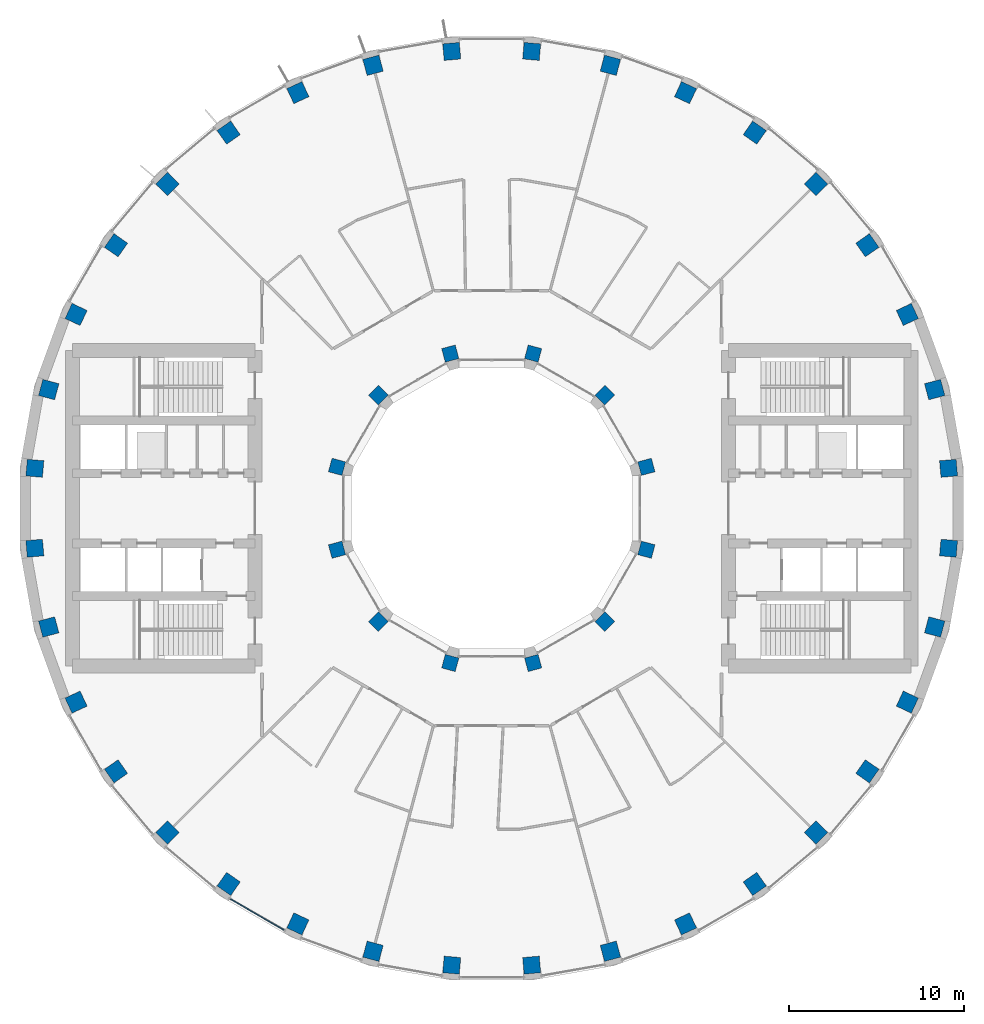
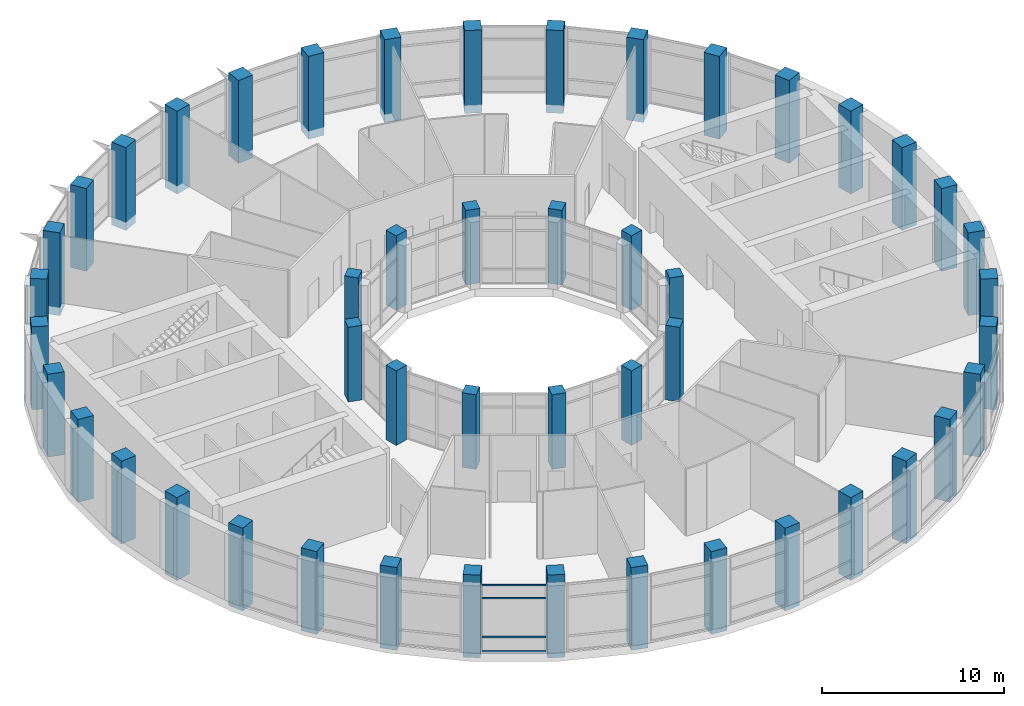
# One storey, part 1 of 18: 48 columns, 4 members, 1 element without a shape of its own.
"""IFC4 building model written with IfcOpenShell, lengths in metres."""

from ifc_helpers import new_model, si_unit, direction, frame, origin, origin_2d, place, context, subcontext, project, spatial, rectangle, extrude, material, layer, layer_set, material_profile, profile_set, type_object, element, aggregate, save


model = new_model("IFC4")

# Units and contexts
model_context = context("Model", 3, precision=1e-05, world=origin(), true_north=direction((0.0, 1.0)))
body_context = subcontext(model_context, "Body", "Model", "MODEL_VIEW")
ifc_project = project(units=[si_unit("LENGTHUNIT", "METRE"), si_unit("AREAUNIT", "SQUARE_METRE"), si_unit("VOLUMEUNIT", "CUBIC_METRE"), si_unit("PLANEANGLEUNIT", "RADIAN"), si_unit("MASSUNIT", "GRAM", prefix="KILO")], contexts=[model_context])

# Site, building, storey
site_placement = place(None, origin())
site = spatial("IfcSite", under=ifc_project, at=site_placement, CompositionType="ELEMENT")
building_placement = place(site_placement, origin())
building = spatial("IfcBuilding", under=site, at=building_placement, Name="Saqina Gate Tower", CompositionType="ELEMENT")
storey_placement = place(building_placement, frame((0.0, 0.0, 86.89990234375)))
storey = spatial("IfcBuildingStorey", under=building, at=storey_placement, Name="L24", CompositionType="ELEMENT", Elevation=86.89990234375)

# Columns
ifc_material_1 = material(Name="Concrete C70/85", Category="concrete")
ifc_material_profile_1 = material_profile(ifc_material_1, rectangle(XDim=0.800048828125, YDim=0.800048828125, at=origin_2d()), Name="RC 800x800")
ifc_profile_set_1 = profile_set([ifc_material_profile_1], Name="Concrete C70/85")
column_type_1 = type_object("IfcColumnType", Name="STR-COL-IN-B", PredefinedType="COLUMN", material=ifc_profile_set_1)
for number, where, z_axis, x_axis, name in (
    (1, (8.821044921875, 2.363525390625, 0.0), (0.0, 0.0, 1.0), (0.965925826289, 0.258819045103, 0.0), "L24-ICL01"),
    (2, (6.45751953125, 6.45751953125, 0.0), (0.0, 0.0, 1.0), (0.707106781187, 0.707106781187, 0.0), "L24-ICL02"),
    (3, (2.363525390625, 8.821044921875, 0.0), (0.0, 0.0, 1.0), (0.258819045103, 0.965925826289, 0.0), "L24-ICL03"),
    (4, (-2.363525390625, 8.821044921875, 0.0), (0.0, 0.0, 1.0), (-0.258819045103, 0.965925826289, 0.0), "L24-ICL04"),
    (5, (-6.45751953125, 6.45751953125, 0.0), (0.0, 0.0, 1.0), (-0.707106781187, 0.707106781187, 0.0), "L24-ICL05"),
    (6, (-8.821044921875, 2.363525390625, 0.0), (0.0, 0.0, 1.0), (-0.965925826289, 0.258819045103, 0.0), "L24-ICL06"),
    (7, (-8.821044921875, -2.363525390625, 0.0), (0.0, 0.0, 1.0), (-0.965925826289, -0.258819045103, 0.0), "L24-ICL07"),
    (8, (-6.45751953125, -6.45751953125, 0.0), (0.0, 0.0, 1.0), (-0.707106781187, -0.707106781187, 0.0), "L24-ICL08"),
    (9, (-2.363525390625, -8.821044921875, 0.0), (0.0, 0.0, 1.0), (-0.258819045103, -0.965925826289, 0.0), "L24-ICL09"),
    (10, (2.363525390625, -8.821044921875, 0.0), (0.0, 0.0, 1.0), (0.258819045103, -0.965925826289, 0.0), "L24-ICL10"),
    (11, (6.45751953125, -6.45751953125, 0.0), (0.0, 0.0, 1.0), (0.707106781187, -0.707106781187, 0.0), "L24-ICL11"),
    (12, (8.821044921875, -2.363525390625, 0.0), (0.0, 0.0, 1.0), (0.965925826289, -0.258819045103, 0.0), "L24-ICL12"),
):
    element("IfcColumn", number, at=place(storey_placement, frame(where, z_axis=z_axis, x_axis=x_axis)), inside=storey, type_object=column_type_1, Name=name, PredefinedType="COLUMN", context=body_context, shape_type="SweptSolid", body=[
        extrude(rectangle(XDim=0.800048828125, YDim=0.800048828125, at=origin_2d()), origin(), (0.0, 0.0, 1.0), 5.0),
    ])
ifc_material_2 = material(Name="Concrete C70/85", Category="concrete")
ifc_material_profile_2 = material_profile(ifc_material_2, rectangle(XDim=0.949951171875, YDim=0.949951171875, at=origin_2d()), Name="RC 950x950")
ifc_profile_set_2 = profile_set([ifc_material_profile_2], Name="Concrete C70/85")
column_type_2 = type_object("IfcColumnType", Name="STR-COL-OUT-B", PredefinedType="COLUMN", material=ifc_profile_set_2)
for number, where, z_axis, x_axis, name in (
    (13, (26.050537109375, 2.279052734375, -0.5498046875), (0.0, 0.0, 1.0), (0.996194698092, 0.087155742748, 0.0), "L24-COL01"),
    (14, (25.259033203125, 6.76806640625, -0.5498046875), (0.0, 0.0, 1.0), (0.965925826289, 0.258819045103, 0.0), "L24-COL02"),
    (15, (23.699951171875, 11.051513671875, -0.5498046875), (0.0, 0.0, 1.0), (0.906307787037, 0.422618261741, 0.0), "L24-COL03"),
    (16, (21.4208984375, 14.9990234375, -0.5498046875), (0.0, 0.0, 1.0), (0.819152044289, 0.573576436351, 0.0), "L24-COL04"),
    (17, (18.49072265625, 18.49072265625, -0.5498046875), (0.0, 0.0, 1.0), (0.707106781187, 0.707106781187, 0.0), "L24-COL05"),
    (18, (14.9990234375, 21.4208984375, -0.5498046875), (0.0, 0.0, 1.0), (0.573576436351, 0.819152044289, 0.0), "L24-COL06"),
    (19, (11.051513671875, 23.699951171875, -0.5498046875), (0.0, 0.0, 1.0), (0.422618261741, 0.906307787037, 0.0), "L24-COL07"),
    (20, (6.76806640625, 25.259033203125, -0.5498046875), (0.0, 0.0, 1.0), (0.258819045103, 0.965925826289, 0.0), "L24-COL08"),
    (21, (2.279052734375, 26.050537109375, -0.5498046875), (0.0, 0.0, 1.0), (0.087155742748, 0.996194698092, 0.0), "L24-COL09"),
    (22, (-2.279052734375, 26.050537109375, -0.5498046875), (0.0, 0.0, 1.0), (-0.087155742748, 0.996194698092, 0.0), "L24-COL10"),
    (23, (-6.76806640625, 25.259033203125, -0.5498046875), (0.0, 0.0, 1.0), (-0.258819045103, 0.965925826289, 0.0), "L24-COL11"),
    (24, (-11.051513671875, 23.699951171875, -0.5498046875), (0.0, 0.0, 1.0), (-0.422618261741, 0.906307787037, 0.0), "L24-COL12"),
    (25, (-14.9990234375, 21.4208984375, -0.5498046875), (0.0, 0.0, 1.0), (-0.573576436351, 0.819152044289, 0.0), "L24-COL13"),
    (26, (-18.49072265625, 18.49072265625, -0.5498046875), (0.0, 0.0, 1.0), (-0.707106781187, 0.707106781187, 0.0), "L24-COL14"),
    (27, (-21.4208984375, 14.9990234375, -0.5498046875), (0.0, 0.0, 1.0), (-0.819152044289, 0.573576436351, 0.0), "L24-COL15"),
    (28, (-23.699951171875, 11.051513671875, -0.5498046875), (0.0, 0.0, 1.0), (-0.906307787037, 0.422618261741, 0.0), "L24-COL16"),
    (29, (-25.259033203125, 6.76806640625, -0.5498046875), (0.0, 0.0, 1.0), (-0.965925826289, 0.258819045103, 0.0), "L24-COL17"),
    (30, (-26.050537109375, 2.279052734375, -0.5498046875), (0.0, 0.0, 1.0), (-0.996194698092, 0.087155742748, 0.0), "L24-COL18"),
    (31, (-26.050537109375, -2.279052734375, -0.5498046875), (0.0, 0.0, 1.0), (-0.996194698092, -0.087155742748, 0.0), "L24-COL19"),
    (32, (-25.259033203125, -6.76806640625, -0.5498046875), (0.0, 0.0, 1.0), (-0.965925826289, -0.258819045103, 0.0), "L24-COL20"),
    (33, (-23.699951171875, -11.051513671875, -0.5498046875), (0.0, 0.0, 1.0), (-0.906307787037, -0.422618261741, 0.0), "L24-COL21"),
    (34, (-21.4208984375, -14.9990234375, -0.5498046875), (0.0, 0.0, 1.0), (-0.819152044289, -0.573576436351, 0.0), "L24-COL22"),
    (35, (-18.49072265625, -18.49072265625, -0.5498046875), (0.0, 0.0, 1.0), (-0.707106781187, -0.707106781187, 0.0), "L24-COL23"),
    (36, (-14.9990234375, -21.4208984375, -0.5498046875), (0.0, 0.0, 1.0), (-0.573576436351, -0.819152044289, 0.0), "L24-COL24"),
    (37, (-11.051513671875, -23.699951171875, -0.5498046875), (0.0, 0.0, 1.0), (-0.422618261741, -0.906307787037, 0.0), "L24-COL25"),
    (38, (-6.76806640625, -25.259033203125, -0.5498046875), (0.0, 0.0, 1.0), (-0.258819045103, -0.965925826289, 0.0), "L24-COL26"),
    (39, (-2.279052734375, -26.050537109375, -0.5498046875), (0.0, 0.0, 1.0), (-0.087155742748, -0.996194698092, 0.0), "L24-COL27"),
    (40, (2.279052734375, -26.050537109375, -0.5498046875), (0.0, 0.0, 1.0), (0.087155742748, -0.996194698092, 0.0), "L24-COL28"),
    (41, (6.76806640625, -25.259033203125, -0.5498046875), (0.0, 0.0, 1.0), (0.258819045103, -0.965925826289, 0.0), "L24-COL29"),
    (42, (11.051513671875, -23.699951171875, -0.5498046875), (0.0, 0.0, 1.0), (0.422618261741, -0.906307787037, 0.0), "L24-COL30"),
    (43, (14.9990234375, -21.4208984375, -0.5498046875), (0.0, 0.0, 1.0), (0.573576436351, -0.819152044289, 0.0), "L24-COL31"),
    (44, (18.49072265625, -18.49072265625, -0.5498046875), (0.0, 0.0, 1.0), (0.707106781187, -0.707106781187, 0.0), "L24-COL32"),
    (45, (21.4208984375, -14.9990234375, -0.5498046875), (0.0, 0.0, 1.0), (0.819152044289, -0.573576436351, 0.0), "L24-COL33"),
    (46, (23.699951171875, -11.051513671875, -0.5498046875), (0.0, 0.0, 1.0), (0.906307787037, -0.422618261741, 0.0), "L24-COL34"),
    (47, (25.259033203125, -6.76806640625, -0.5498046875), (0.0, 0.0, 1.0), (0.965925826289, -0.258819045103, 0.0), "L24-COL35"),
    (48, (26.050537109375, -2.279052734375, -0.5498046875), (0.0, 0.0, 1.0), (0.996194698092, -0.087155742748, 0.0), "L24-COL36"),
):
    element("IfcColumn", number, at=place(storey_placement, frame(where, z_axis=z_axis, x_axis=x_axis)), inside=storey, type_object=column_type_2, Name=name, PredefinedType="COLUMN", context=body_context, shape_type="SweptSolid", body=[
        extrude(rectangle(XDim=0.949951171875, YDim=0.949951171875, at=origin_2d()), origin(), (0.0, 0.0, 1.0), 5.5498046875),
    ])

# Curtain wall, members
ifc_material_3 = material(Name="Aluminium glazing", Category="aluminium")
ifc_layer = layer(ifc_material_3, 0.159912109375)
ifc_layer_set = layer_set([ifc_layer], Name="CWT-2")
curtain_wall_type = type_object("IfcCurtainWallType", Name="CWT-2", PredefinedType="NOTDEFINED", material=ifc_layer_set)
curtain_wall_placement = place(storey_placement, origin())
curtain_wall = element("IfcCurtainWall", 49, at=curtain_wall_placement, inside=storey, type_object=curtain_wall_type, Name="Sky lounge glazing facet 24", PredefinedType="NOTDEFINED")
ifc_material_4 = material(Name="Aluminium", Category="aluminium")
ifc_material_profile_3 = material_profile(ifc_material_4, rectangle(XDim=0.06005859375, YDim=0.1201171875, at=origin_2d()), Name="Aluminium 60x120")
ifc_profile_set_3 = profile_set([ifc_material_profile_3], Name="Aluminium")
member_type = type_object("IfcMemberType", Name="CWT-2T", PredefinedType="USERDEFINED", material=ifc_profile_set_3)
member_1_placement = place(storey_placement, frame((-14.901123046875, -22.281982421875, 0.030029296875), z_axis=(0.866024243143, -0.500002010285, 0.0), x_axis=(0.500002010285, 0.866024243143, 0.0)))
member_1 = element("IfcMember", 50, at=member_1_placement, type_object=member_type, Name="CW2-24 transom 1.1", ObjectType="TRANSOM", PredefinedType="USERDEFINED", context=body_context, shape_type="SweptSolid", body=[
    extrude(rectangle(XDim=0.06005859375, YDim=0.1201171875, at=origin_2d()), origin(), (0.0, 0.0, 1.0), 3.52783203125),
])
member_2_placement = place(storey_placement, frame((-14.901123046875, -22.281982421875, 1.0), z_axis=(0.866024243143, -0.500002010285, 0.0), x_axis=(0.500002010285, 0.866024243143, 0.0)))
member_2 = element("IfcMember", 51, at=member_2_placement, type_object=member_type, Name="CW2-24 transom 1.2", ObjectType="TRANSOM", PredefinedType="USERDEFINED", context=body_context, shape_type="SweptSolid", body=[
    extrude(rectangle(XDim=0.06005859375, YDim=0.1201171875, at=origin_2d()), origin(), (0.0, 0.0, 1.0), 3.52783203125),
])
member_3_placement = place(storey_placement, frame((-14.901123046875, -22.281982421875, 3.60009765625), z_axis=(0.866024243143, -0.500002010285, 0.0), x_axis=(0.500002010285, 0.866024243143, 0.0)))
member_3 = element("IfcMember", 52, at=member_3_placement, type_object=member_type, Name="CW2-24 transom 1.3", ObjectType="TRANSOM", PredefinedType="USERDEFINED", context=body_context, shape_type="SweptSolid", body=[
    extrude(rectangle(XDim=0.06005859375, YDim=0.1201171875, at=origin_2d()), origin(), (0.0, 0.0, 1.0), 3.52783203125),
])
member_4_placement = place(storey_placement, frame((-14.901123046875, -22.281982421875, 4.47021484375), z_axis=(0.866024243143, -0.500002010285, 0.0), x_axis=(0.500002010285, 0.866024243143, 0.0)))
member_4 = element("IfcMember", 53, at=member_4_placement, type_object=member_type, Name="CW2-24 transom 1.4", ObjectType="TRANSOM", PredefinedType="USERDEFINED", context=body_context, shape_type="SweptSolid", body=[
    extrude(rectangle(XDim=0.06005859375, YDim=0.1201171875, at=origin_2d()), origin(), (0.0, 0.0, 1.0), 3.52783203125),
])
aggregate(curtain_wall, [member_1, member_2, member_3, member_4])

save(model, "model.ifc")
